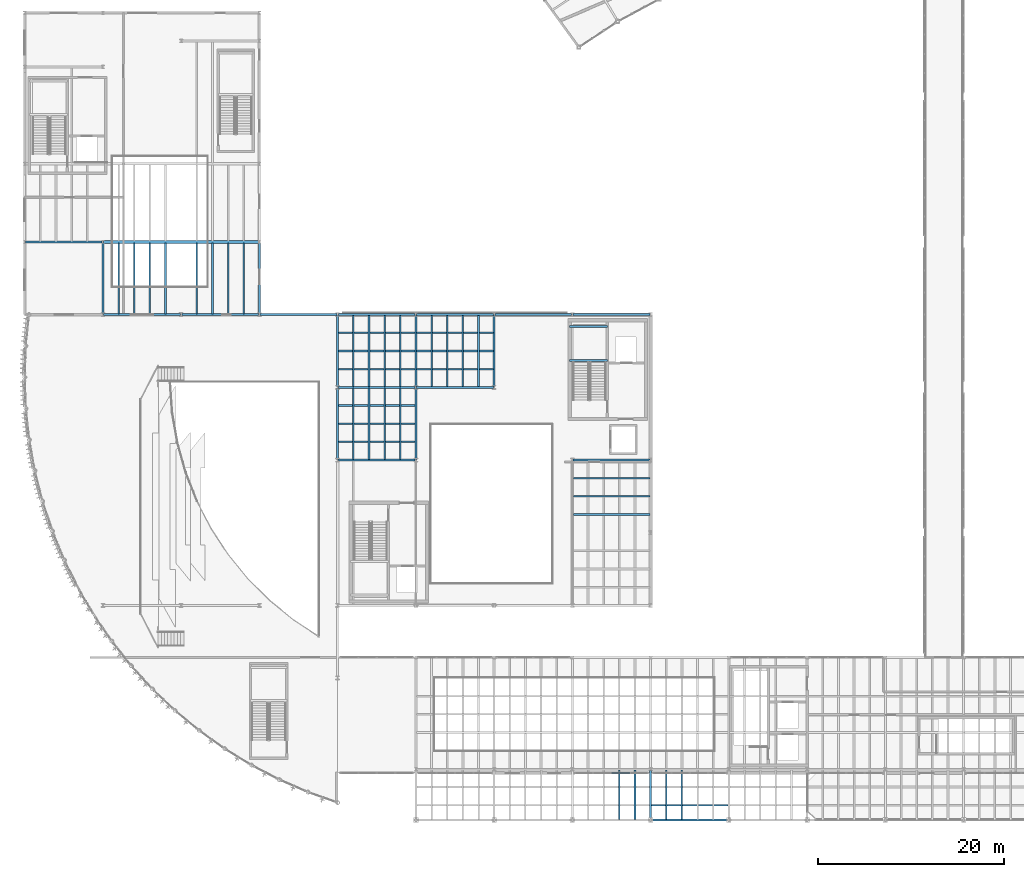
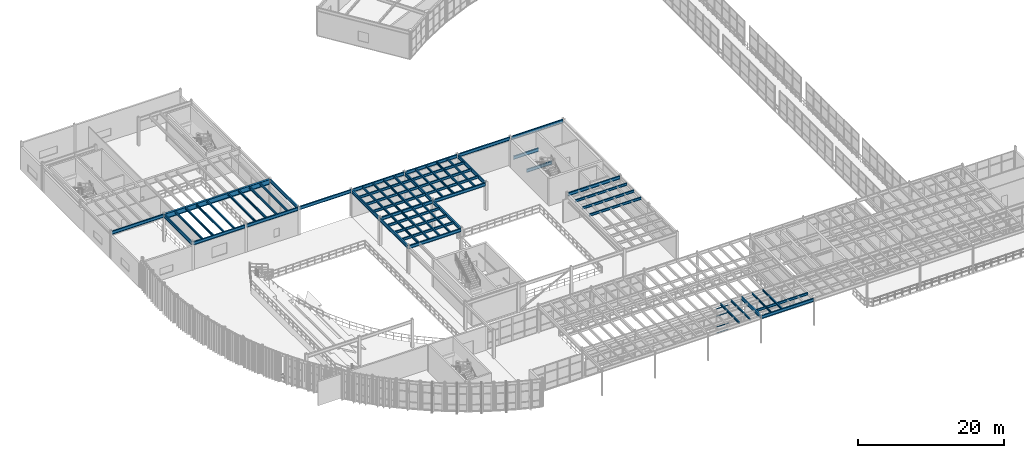
# One storey, part 36 of 105: 61 beams, 4 members, 1 element without a shape of its own.
"""IFC4 building model written with IfcOpenShell, lengths in metres."""

from ifc_helpers import new_model, si_unit, direction, frame, origin, origin_2d, place, context, subcontext, project, spatial, hollow_rectangle, i_section, extrude, material, layer, layer_set, material_profile, profile_set, type_object, element, aggregate, save


model = new_model("IFC4")

# Units and contexts
model_context = context("Model", 3, precision=1e-05, world=origin(), true_north=direction((0.0, 1.0)))
body_context = subcontext(model_context, "Body", "Model", "MODEL_VIEW")
ifc_project = project(units=[si_unit("LENGTHUNIT", "METRE"), si_unit("AREAUNIT", "SQUARE_METRE"), si_unit("VOLUMEUNIT", "CUBIC_METRE"), si_unit("PLANEANGLEUNIT", "RADIAN"), si_unit("MASSUNIT", "GRAM", prefix="KILO")], contexts=[model_context])

# Site, building, storey
site_placement = place(None, origin())
site = spatial("IfcSite", under=ifc_project, at=site_placement, CompositionType="ELEMENT")
building_placement = place(site_placement, origin())
building = spatial("IfcBuilding", under=site, at=building_placement, Name="Selat Folded Stagehouse", CompositionType="ELEMENT")
storey_placement = place(building_placement, frame((0.0, 0.0, 10.199951171875)))
storey = spatial("IfcBuildingStorey", under=building, at=storey_placement, Name="L02", CompositionType="ELEMENT", Elevation=10.199951171875)

# Beams
ifc_material_1 = material(Name="Steel S355", Category="steel")
ifc_material_profile_1 = material_profile(ifc_material_1, i_section(OverallWidth=0.210693359375, OverallDepth=0.53955078125, WebThickness=0.01171875, FlangeThickness=0.018798828125, FilletRadius=0.0126953125, at=origin_2d()), Name="UKB 533x210x109")
ifc_profile_set_1 = profile_set([ifc_material_profile_1], Name="Steel S355")
beam_type_1 = type_object("IfcBeamType", Name="BM-GIRD-533x210x109", PredefinedType="BEAM", material=ifc_profile_set_1)
for number, where, z_axis, x_axis, name in (
    (1, (8.39990234375, 54.679931640625, 4.310302734375), (0.0, 1.0, 0.0), (-1.0, 0.0, 0.0), "L02 primary y-girder 1038"),
    (2, (25.199951171875, 54.679931640625, 4.310302734375), (0.0, 1.0, 0.0), (-1.0, 0.0, 0.0), "L02 primary y-girder 1039"),
):
    element("IfcBeam", number, at=place(storey_placement, frame(where, z_axis=z_axis, x_axis=x_axis)), inside=storey, type_object=beam_type_1, Name=name, PredefinedType="BEAM", context=body_context, shape_type="SweptSolid", body=[
        extrude(i_section(OverallWidth=0.210693359375, OverallDepth=0.53955078125, WebThickness=0.01171875, FlangeThickness=0.018798828125, FilletRadius=0.0126953125, at=origin_2d()), origin(), (0.0, 0.0, 1.0), 7.64306640625),
    ])
beam_1_placement = place(storey_placement, frame((33.60009765625, 39.080078125, 4.330322265625), z_axis=(0.0, 1.0, 0.0), x_axis=(-1.0, 0.0, 0.0)))
element("IfcBeam", 3, at=beam_1_placement, inside=storey, type_object=beam_type_1, Name="L02 primary y-girder 1044", PredefinedType="BEAM", context=body_context, shape_type="SweptSolid", body=[
    extrude(i_section(OverallWidth=0.210693359375, OverallDepth=0.53955078125, WebThickness=0.01171875, FlangeThickness=0.018798828125, FilletRadius=0.0126953125, at=origin_2d()), origin(), (0.0, 0.0, 1.0), 7.639892578125),
])
beam_2_placement = place(storey_placement, frame((33.60009765625, 46.8798828125, 4.330322265625), z_axis=(0.0, 1.0, 0.0), x_axis=(-1.0, 0.0, 0.0)))
element("IfcBeam", 4, at=beam_2_placement, inside=storey, type_object=beam_type_1, Name="L02 primary y-girder 1045", PredefinedType="BEAM", context=body_context, shape_type="SweptSolid", body=[
    extrude(i_section(OverallWidth=0.210693359375, OverallDepth=0.53955078125, WebThickness=0.01171875, FlangeThickness=0.018798828125, FilletRadius=0.0126953125, at=origin_2d()), origin(), (0.0, 0.0, 1.0), 7.64013671875),
])
beam_3_placement = place(storey_placement, frame((42.0, 39.080078125, 4.330322265625), z_axis=(0.0, 1.0, 0.0), x_axis=(-1.0, 0.0, 0.0)))
element("IfcBeam", 5, at=beam_3_placement, inside=storey, type_object=beam_type_1, Name="L02 primary y-girder 1048", PredefinedType="BEAM", context=body_context, shape_type="SweptSolid", body=[
    extrude(i_section(OverallWidth=0.210693359375, OverallDepth=0.53955078125, WebThickness=0.01171875, FlangeThickness=0.018798828125, FilletRadius=0.0126953125, at=origin_2d()), origin(), (0.0, 0.0, 1.0), 7.639892578125),
])
for number, where, z_axis, x_axis, name in (
    (6, (42.0, 46.8798828125, 4.330322265625), (0.0, 1.0, 0.0), (-1.0, 0.0, 0.0), "L02 primary y-girder 1049"),
    (7, (50.39990234375, 46.8798828125, 4.330322265625), (0.0, 1.0, 0.0), (-1.0, 0.0, 0.0), "L02 primary y-girder 1052"),
):
    element("IfcBeam", number, at=place(storey_placement, frame(where, z_axis=z_axis, x_axis=x_axis)), inside=storey, type_object=beam_type_1, Name=name, PredefinedType="BEAM", context=body_context, shape_type="SweptSolid", body=[
        extrude(i_section(OverallWidth=0.210693359375, OverallDepth=0.53955078125, WebThickness=0.01171875, FlangeThickness=0.018798828125, FilletRadius=0.0126953125, at=origin_2d()), origin(), (0.0, 0.0, 1.0), 7.64013671875),
    ])
beam_4_placement = place(storey_placement, frame((67.199951171875, 0.418212890625, 4.305419921875), z_axis=(0.0, 1.0, 0.0), x_axis=(-1.0, 0.0, 0.0)))
element("IfcBeam", 8, at=beam_4_placement, inside=storey, type_object=beam_type_1, Name="L02 primary y-girder 1056", PredefinedType="BEAM", context=body_context, shape_type="SweptSolid", body=[
    extrude(i_section(OverallWidth=0.210693359375, OverallDepth=0.53955078125, WebThickness=0.01171875, FlangeThickness=0.018798828125, FilletRadius=0.0126953125, at=origin_2d()), origin(), (0.0, 0.0, 1.0), 5.3046875),
])
ifc_material_profile_2 = material_profile(ifc_material_1, i_section(OverallWidth=0.209228515625, OverallDepth=0.533203125, WebThickness=0.010009765625, FlangeThickness=0.015625, FilletRadius=0.0126953125, at=origin_2d()), Name="UKB 533x210x92")
ifc_profile_set_2 = profile_set([ifc_material_profile_2], Name="Steel S355")
beam_type_2 = type_object("IfcBeamType", Name="BM-GIRD-533x210x92", PredefinedType="BEAM", material=ifc_profile_set_2)
beam_5_placement = place(storey_placement, frame((67.268310546875, 0.35009765625, 4.308349609375), z_axis=(1.0, 0.0, 0.0), x_axis=(0.0, 1.0, 0.0)))
element("IfcBeam", 9, at=beam_5_placement, inside=storey, type_object=beam_type_2, Name="L02 primary x-girder 0985", PredefinedType="BEAM", context=body_context, shape_type="SweptSolid", body=[
    extrude(i_section(OverallWidth=0.209228515625, OverallDepth=0.533203125, WebThickness=0.010009765625, FlangeThickness=0.015625, FilletRadius=0.0126953125, at=origin_2d()), origin(), (0.0, 0.0, 1.0), 8.263427734375),
])
beam_6_placement = place(storey_placement, frame((33.679931640625, 39.0, 4.33349609375), z_axis=(1.0, 0.0, 0.0), x_axis=(0.0, 1.0, 0.0)))
element("IfcBeam", 10, at=beam_6_placement, inside=storey, type_object=beam_type_2, Name="L02 primary x-girder 1020", PredefinedType="BEAM", context=body_context, shape_type="SweptSolid", body=[
    extrude(i_section(OverallWidth=0.209228515625, OverallDepth=0.533203125, WebThickness=0.010009765625, FlangeThickness=0.015625, FilletRadius=0.0126953125, at=origin_2d()), origin(), (0.0, 0.0, 1.0), 8.239990234375),
])
beam_7_placement = place(storey_placement, frame((58.8798828125, 39.0, 4.33349609375), z_axis=(1.0, 0.0, 0.0), x_axis=(0.0, 1.0, 0.0)))
element("IfcBeam", 11, at=beam_7_placement, inside=storey, type_object=beam_type_2, Name="L02 primary x-girder 1021", PredefinedType="BEAM", context=body_context, shape_type="SweptSolid", body=[
    extrude(i_section(OverallWidth=0.209228515625, OverallDepth=0.533203125, WebThickness=0.010009765625, FlangeThickness=0.015625, FilletRadius=0.0126953125, at=origin_2d()), origin(), (0.0, 0.0, 1.0), 8.240234375),
])
for number, where, z_axis, x_axis, name in (
    (12, (33.679931640625, 46.800048828125, 4.33349609375), (1.0, 0.0, 0.0), (0.0, 1.0, 0.0), "L02 primary x-girder 1022"),
    (13, (42.080078125, 46.800048828125, 4.33349609375), (1.0, 0.0, 0.0), (0.0, 1.0, 0.0), "L02 primary x-girder 1023"),
    (14, (8.47998046875, 54.60009765625, 4.3134765625), (1.0, 0.0, 0.0), (0.0, 1.0, 0.0), "L02 primary x-girder 1024"),
):
    element("IfcBeam", number, at=place(storey_placement, frame(where, z_axis=z_axis, x_axis=x_axis)), inside=storey, type_object=beam_type_2, Name=name, PredefinedType="BEAM", context=body_context, shape_type="SweptSolid", body=[
        extrude(i_section(OverallWidth=0.209228515625, OverallDepth=0.533203125, WebThickness=0.010009765625, FlangeThickness=0.015625, FilletRadius=0.0126953125, at=origin_2d()), origin(), (0.0, 0.0, 1.0), 8.239990234375),
    ])
beam_8_placement = place(storey_placement, frame((16.8798828125, 54.60009765625, 4.3134765625), z_axis=(1.0, 0.0, 0.0), x_axis=(0.0, 1.0, 0.0)))
element("IfcBeam", 15, at=beam_8_placement, inside=storey, type_object=beam_type_2, Name="L02 primary x-girder 1025", PredefinedType="BEAM", context=body_context, shape_type="SweptSolid", body=[
    extrude(i_section(OverallWidth=0.209228515625, OverallDepth=0.533203125, WebThickness=0.010009765625, FlangeThickness=0.015625, FilletRadius=0.0126953125, at=origin_2d()), origin(), (0.0, 0.0, 1.0), 8.240234375),
])
for number, where, z_axis, x_axis, name in (
    (16, (25.280029296875, 54.60009765625, 4.33349609375), (1.0, 0.0, 0.0), (0.0, 1.0, 0.0), "L02 primary x-girder 1026"),
    (17, (33.679931640625, 54.60009765625, 4.33349609375), (1.0, 0.0, 0.0), (0.0, 1.0, 0.0), "L02 primary x-girder 1027"),
    (18, (42.080078125, 54.60009765625, 4.33349609375), (1.0, 0.0, 0.0), (0.0, 1.0, 0.0), "L02 primary x-girder 1028"),
    (19, (50.47998046875, 54.60009765625, 4.33349609375), (1.0, 0.0, 0.0), (0.0, 1.0, 0.0), "L02 primary x-girder 1029"),
):
    element("IfcBeam", number, at=place(storey_placement, frame(where, z_axis=z_axis, x_axis=x_axis)), inside=storey, type_object=beam_type_2, Name=name, PredefinedType="BEAM", context=body_context, shape_type="SweptSolid", body=[
        extrude(i_section(OverallWidth=0.209228515625, OverallDepth=0.533203125, WebThickness=0.010009765625, FlangeThickness=0.015625, FilletRadius=0.0126953125, at=origin_2d()), origin(), (0.0, 0.0, 1.0), 8.239990234375),
    ])
beam_9_placement = place(storey_placement, frame((58.8798828125, 54.60009765625, 4.33349609375), z_axis=(1.0, 0.0, 0.0), x_axis=(0.0, 1.0, 0.0)))
element("IfcBeam", 20, at=beam_9_placement, inside=storey, type_object=beam_type_2, Name="L02 primary x-girder 1030", PredefinedType="BEAM", context=body_context, shape_type="SweptSolid", body=[
    extrude(i_section(OverallWidth=0.209228515625, OverallDepth=0.533203125, WebThickness=0.010009765625, FlangeThickness=0.015625, FilletRadius=0.0126953125, at=origin_2d()), origin(), (0.0, 0.0, 1.0), 8.240234375),
])
beam_10_placement = place(storey_placement, frame((0.076904296875, 62.39990234375, 4.3134765625), z_axis=(1.0, 0.0, 0.0), x_axis=(0.0, 1.0, 0.0)))
element("IfcBeam", 21, at=beam_10_placement, inside=storey, type_object=beam_type_2, Name="L02 primary x-girder 1031", PredefinedType="BEAM", context=body_context, shape_type="SweptSolid", body=[
    extrude(i_section(OverallWidth=0.209228515625, OverallDepth=0.533203125, WebThickness=0.010009765625, FlangeThickness=0.015625, FilletRadius=0.0126953125, at=origin_2d()), origin(), (0.0, 0.0, 1.0), 8.24609375),
])
for number, where, z_axis, x_axis, name in (
    (22, (58.5, 49.699951171875, 1.933349609375), (1.0, 0.0, 0.0), (0.0, 1.0, 0.0), "L02 ST-02 landing support beam 1"),
    (23, (58.5, 53.31005859375, 1.933349609375), (1.0, 0.0, 0.0), (0.0, 1.0, 0.0), "L02 ST-02 landing support beam 2"),
):
    element("IfcBeam", number, at=place(storey_placement, frame(where, z_axis=z_axis, x_axis=x_axis)), inside=storey, type_object=beam_type_2, Name=name, PredefinedType="BEAM", context=body_context, shape_type="SweptSolid", body=[
        extrude(i_section(OverallWidth=0.209228515625, OverallDepth=0.533203125, WebThickness=0.010009765625, FlangeThickness=0.015625, FilletRadius=0.0126953125, at=origin_2d()), origin(), (0.0, 0.0, 1.0), 4.050048828125),
    ])
ifc_material_profile_3 = material_profile(ifc_material_1, i_section(OverallWidth=0.293701171875, OverallDepth=0.850830078125, WebThickness=0.01611328125, FlangeThickness=0.02685546875, FilletRadius=0.017822265625, at=origin_2d()), Name="UKB 838x292x226")
ifc_profile_set_3 = profile_set([ifc_material_profile_3], Name="Steel S355")
beam_type_3 = type_object("IfcBeamType", Name="BM-LONG-838x292x226", PredefinedType="BEAM", material=ifc_profile_set_3)
beam_11_placement = place(storey_placement, frame((8.47705078125, 62.39990234375, 4.154541015625), z_axis=(1.0, 0.0, 0.0), x_axis=(0.0, 1.0, 0.0)))
element("IfcBeam", 24, at=beam_11_placement, inside=storey, type_object=beam_type_3, Name="L02 primary x-girder 1032", PredefinedType="BEAM", context=body_context, shape_type="SweptSolid", body=[
    extrude(i_section(OverallWidth=0.293701171875, OverallDepth=0.850830078125, WebThickness=0.01611328125, FlangeThickness=0.02685546875, FilletRadius=0.017822265625, at=origin_2d()), origin(), (0.0, 0.0, 1.0), 16.64599609375),
])

# Curtain wall, members
ifc_material_2 = material(Name="Aluminium 6063-T6", Category="aluminium")
ifc_layer = layer(ifc_material_2, 0.2099609375)
ifc_layer_set = layer_set([ifc_layer], Name="Aluminium 6063-T6")
curtain_wall_type = type_object("IfcCurtainWallType", Name="CW-FYR-SOUTH", PredefinedType="NOTDEFINED", material=ifc_layer_set)
curtain_wall_placement = place(storey_placement, origin())
curtain_wall = element("IfcCurtainWall", 25, at=curtain_wall_placement, inside=storey, type_object=curtain_wall_type, Name="L02 curtain wall CW-FYR-L02-02", PredefinedType="NOTDEFINED")
ifc_material_profile_4 = material_profile(ifc_material_2, hollow_rectangle(XDim=0.06494140625, YDim=0.139892578125, WallThickness=0.00390625, at=origin_2d()), Name="ALU 140x65x4.0")
ifc_profile_set_4 = profile_set([ifc_material_profile_4], Name="Aluminium 6063-T6")
member_type = type_object("IfcMemberType", Name="CWM-TRN-140x65", PredefinedType="USERDEFINED", material=ifc_profile_set_4)
member_1_placement = place(storey_placement, frame((64.9423828125, 5.39990234375, 0.032470703125), z_axis=(-1.0, 0.0, 0.0), x_axis=(0.0, -1.0, 0.0)))
member_1 = element("IfcMember", 26, at=member_1_placement, type_object=member_type, Name="CW-04 transom 2.1", ObjectType="TRANSOM", PredefinedType="USERDEFINED", context=body_context, shape_type="SweptSolid", body=[
    extrude(hollow_rectangle(XDim=0.06494140625, YDim=0.139892578125, WallThickness=0.00390625, at=origin_2d()), origin(), (0.0, 0.0, 1.0), 1.909912109375),
])
member_2_placement = place(storey_placement, frame((64.9423828125, 5.39990234375, 1.050048828125), z_axis=(-1.0, 0.0, 0.0), x_axis=(0.0, -1.0, 0.0)))
member_2 = element("IfcMember", 27, at=member_2_placement, type_object=member_type, Name="CW-04 transom 2.2", ObjectType="TRANSOM", PredefinedType="USERDEFINED", context=body_context, shape_type="SweptSolid", body=[
    extrude(hollow_rectangle(XDim=0.06494140625, YDim=0.139892578125, WallThickness=0.00390625, at=origin_2d()), origin(), (0.0, 0.0, 1.0), 1.909912109375),
])
member_3_placement = place(storey_placement, frame((64.9423828125, 5.39990234375, 2.85009765625), z_axis=(-1.0, 0.0, 0.0), x_axis=(0.0, -1.0, 0.0)))
member_3 = element("IfcMember", 28, at=member_3_placement, type_object=member_type, Name="CW-04 transom 2.3", ObjectType="TRANSOM", PredefinedType="USERDEFINED", context=body_context, shape_type="SweptSolid", body=[
    extrude(hollow_rectangle(XDim=0.06494140625, YDim=0.139892578125, WallThickness=0.00390625, at=origin_2d()), origin(), (0.0, 0.0, 1.0), 1.909912109375),
])
member_4_placement = place(storey_placement, frame((64.9423828125, 5.39990234375, 4.087646484375), z_axis=(-1.0, 0.0, 0.0), x_axis=(0.0, -1.0, 0.0)))
member_4 = element("IfcMember", 29, at=member_4_placement, type_object=member_type, Name="CW-04 transom 2.4", ObjectType="TRANSOM", PredefinedType="USERDEFINED", context=body_context, shape_type="SweptSolid", body=[
    extrude(hollow_rectangle(XDim=0.06494140625, YDim=0.139892578125, WallThickness=0.00390625, at=origin_2d()), origin(), (0.0, 0.0, 1.0), 1.909912109375),
])
aggregate(curtain_wall, [member_1, member_2, member_3, member_4])

# Beams
ifc_material_profile_5 = material_profile(ifc_material_1, i_section(OverallWidth=0.1650390625, OverallDepth=0.303466796875, WebThickness=0.006103515625, FlangeThickness=0.01025390625, FilletRadius=0.0087890625, at=origin_2d()), Name="UKB 305x165x40")
ifc_profile_set_5 = profile_set([ifc_material_profile_5], Name="Steel S355")
beam_type_4 = type_object("IfcBeamType", Name="JST-305x165x40", PredefinedType="JOIST", material=ifc_profile_set_5)
for number, where, z_axis, x_axis, name in (
    (30, (63.840087890625, 0.42333984375, 4.42333984375), (0.0, 1.0, 0.0), (-1.0, 0.0, 0.0), "L02 secondary floor joist 1138"),
    (31, (65.52001953125, 0.42333984375, 4.42333984375), (0.0, 1.0, 0.0), (-1.0, 0.0, 0.0), "L02 secondary floor joist 1141"),
    (32, (68.8798828125, 0.42333984375, 4.42333984375), (0.0, 1.0, 0.0), (-1.0, 0.0, 0.0), "L02 secondary floor joist 1144"),
    (33, (70.56005859375, 0.42333984375, 4.42333984375), (0.0, 1.0, 0.0), (-1.0, 0.0, 0.0), "L02 secondary floor joist 1146"),
):
    element("IfcBeam", number, at=place(storey_placement, frame(where, z_axis=z_axis, x_axis=x_axis)), inside=storey, type_object=beam_type_4, Name=name, PredefinedType="JOIST", context=body_context, shape_type="SweptSolid", body=[
        extrude(i_section(OverallWidth=0.1650390625, OverallDepth=0.303466796875, WebThickness=0.006103515625, FlangeThickness=0.01025390625, FilletRadius=0.0087890625, at=origin_2d()), origin(), (0.0, 0.0, 1.0), 5.303466796875),
    ])
ifc_material_profile_6 = material_profile(ifc_material_1, i_section(OverallWidth=0.17138671875, OverallDepth=0.35498046875, WebThickness=0.00732421875, FlangeThickness=0.011474609375, FilletRadius=0.01025390625, at=origin_2d()), Name="UKB 356x171x51")
ifc_profile_set_6 = profile_set([ifc_material_profile_6], Name="Steel S355")
beam_type_5 = type_object("IfcBeamType", Name="JST-356x171x51", PredefinedType="JOIST", material=ifc_profile_set_6)
for number, where, z_axis, x_axis, name in (
    (34, (10.080078125, 54.67333984375, 4.402587890625), (0.0, 1.0, 0.0), (-1.0, 0.0, 0.0), "L02 secondary floor joist 1085"),
    (35, (11.760009765625, 54.67333984375, 4.402587890625), (0.0, 1.0, 0.0), (-1.0, 0.0, 0.0), "L02 secondary floor joist 1087"),
    (36, (13.43994140625, 54.67333984375, 4.402587890625), (0.0, 1.0, 0.0), (-1.0, 0.0, 0.0), "L02 secondary floor joist 1089"),
    (37, (15.1201171875, 54.67333984375, 4.402587890625), (0.0, 1.0, 0.0), (-1.0, 0.0, 0.0), "L02 secondary floor joist 1091"),
    (38, (18.47998046875, 54.67333984375, 4.402587890625), (0.0, 1.0, 0.0), (-1.0, 0.0, 0.0), "L02 secondary floor joist 1093"),
    (39, (20.159912109375, 54.67333984375, 4.402587890625), (0.0, 1.0, 0.0), (-1.0, 0.0, 0.0), "L02 secondary floor joist 1096"),
    (40, (21.840087890625, 54.67333984375, 4.402587890625), (0.0, 1.0, 0.0), (-1.0, 0.0, 0.0), "L02 secondary floor joist 1099"),
    (41, (23.52001953125, 54.67333984375, 4.402587890625), (0.0, 1.0, 0.0), (-1.0, 0.0, 0.0), "L02 secondary floor joist 1101"),
):
    element("IfcBeam", number, at=place(storey_placement, frame(where, z_axis=z_axis, x_axis=x_axis)), inside=storey, type_object=beam_type_5, Name=name, PredefinedType="JOIST", context=body_context, shape_type="SweptSolid", body=[
        extrude(i_section(OverallWidth=0.17138671875, OverallDepth=0.35498046875, WebThickness=0.00732421875, FlangeThickness=0.011474609375, FilletRadius=0.01025390625, at=origin_2d()), origin(), (0.0, 0.0, 1.0), 7.623779296875),
    ])
beam_12_placement = place(storey_placement, frame((35.280029296875, 39.0732421875, 4.422607421875), z_axis=(0.0, 1.0, 0.0), x_axis=(-1.0, 0.0, 0.0)))
element("IfcBeam", 42, at=beam_12_placement, inside=storey, type_object=beam_type_5, Name="L02 secondary floor joist 1104", PredefinedType="JOIST", context=body_context, shape_type="SweptSolid", body=[
    extrude(i_section(OverallWidth=0.17138671875, OverallDepth=0.35498046875, WebThickness=0.00732421875, FlangeThickness=0.011474609375, FilletRadius=0.01025390625, at=origin_2d()), origin(), (0.0, 0.0, 1.0), 7.653564453125),
])
beam_13_placement = place(storey_placement, frame((35.280029296875, 46.873291015625, 4.422607421875), z_axis=(0.0, 1.0, 0.0), x_axis=(-1.0, 0.0, 0.0)))
element("IfcBeam", 43, at=beam_13_placement, inside=storey, type_object=beam_type_5, Name="L02 secondary floor joist 1105", PredefinedType="JOIST", context=body_context, shape_type="SweptSolid", body=[
    extrude(i_section(OverallWidth=0.17138671875, OverallDepth=0.35498046875, WebThickness=0.00732421875, FlangeThickness=0.011474609375, FilletRadius=0.01025390625, at=origin_2d()), origin(), (0.0, 0.0, 1.0), 7.6533203125),
])
beam_14_placement = place(storey_placement, frame((36.9599609375, 39.0732421875, 4.422607421875), z_axis=(0.0, 1.0, 0.0), x_axis=(-1.0, 0.0, 0.0)))
element("IfcBeam", 44, at=beam_14_placement, inside=storey, type_object=beam_type_5, Name="L02 secondary floor joist 1106", PredefinedType="JOIST", context=body_context, shape_type="SweptSolid", body=[
    extrude(i_section(OverallWidth=0.17138671875, OverallDepth=0.35498046875, WebThickness=0.00732421875, FlangeThickness=0.011474609375, FilletRadius=0.01025390625, at=origin_2d()), origin(), (0.0, 0.0, 1.0), 7.653564453125),
])
beam_15_placement = place(storey_placement, frame((36.9599609375, 46.873291015625, 4.422607421875), z_axis=(0.0, 1.0, 0.0), x_axis=(-1.0, 0.0, 0.0)))
element("IfcBeam", 45, at=beam_15_placement, inside=storey, type_object=beam_type_5, Name="L02 secondary floor joist 1107", PredefinedType="JOIST", context=body_context, shape_type="SweptSolid", body=[
    extrude(i_section(OverallWidth=0.17138671875, OverallDepth=0.35498046875, WebThickness=0.00732421875, FlangeThickness=0.011474609375, FilletRadius=0.01025390625, at=origin_2d()), origin(), (0.0, 0.0, 1.0), 7.6533203125),
])
beam_16_placement = place(storey_placement, frame((38.639892578125, 39.0732421875, 4.422607421875), z_axis=(0.0, 1.0, 0.0), x_axis=(-1.0, 0.0, 0.0)))
element("IfcBeam", 46, at=beam_16_placement, inside=storey, type_object=beam_type_5, Name="L02 secondary floor joist 1108", PredefinedType="JOIST", context=body_context, shape_type="SweptSolid", body=[
    extrude(i_section(OverallWidth=0.17138671875, OverallDepth=0.35498046875, WebThickness=0.00732421875, FlangeThickness=0.011474609375, FilletRadius=0.01025390625, at=origin_2d()), origin(), (0.0, 0.0, 1.0), 7.653564453125),
])
beam_17_placement = place(storey_placement, frame((38.639892578125, 46.873291015625, 4.422607421875), z_axis=(0.0, 1.0, 0.0), x_axis=(-1.0, 0.0, 0.0)))
element("IfcBeam", 47, at=beam_17_placement, inside=storey, type_object=beam_type_5, Name="L02 secondary floor joist 1109", PredefinedType="JOIST", context=body_context, shape_type="SweptSolid", body=[
    extrude(i_section(OverallWidth=0.17138671875, OverallDepth=0.35498046875, WebThickness=0.00732421875, FlangeThickness=0.011474609375, FilletRadius=0.01025390625, at=origin_2d()), origin(), (0.0, 0.0, 1.0), 7.6533203125),
])
beam_18_placement = place(storey_placement, frame((40.320068359375, 39.0732421875, 4.422607421875), z_axis=(0.0, 1.0, 0.0), x_axis=(-1.0, 0.0, 0.0)))
element("IfcBeam", 48, at=beam_18_placement, inside=storey, type_object=beam_type_5, Name="L02 secondary floor joist 1110", PredefinedType="JOIST", context=body_context, shape_type="SweptSolid", body=[
    extrude(i_section(OverallWidth=0.17138671875, OverallDepth=0.35498046875, WebThickness=0.00732421875, FlangeThickness=0.011474609375, FilletRadius=0.01025390625, at=origin_2d()), origin(), (0.0, 0.0, 1.0), 7.653564453125),
])
for number, where, z_axis, x_axis, name in (
    (49, (40.320068359375, 46.873291015625, 4.422607421875), (0.0, 1.0, 0.0), (-1.0, 0.0, 0.0), "L02 secondary floor joist 1111"),
    (50, (43.679931640625, 46.873291015625, 4.422607421875), (0.0, 1.0, 0.0), (-1.0, 0.0, 0.0), "L02 secondary floor joist 1114"),
    (51, (45.360107421875, 46.873291015625, 4.422607421875), (0.0, 1.0, 0.0), (-1.0, 0.0, 0.0), "L02 secondary floor joist 1117"),
    (52, (47.0400390625, 46.873291015625, 4.422607421875), (0.0, 1.0, 0.0), (-1.0, 0.0, 0.0), "L02 secondary floor joist 1120"),
    (53, (48.719970703125, 46.873291015625, 4.422607421875), (0.0, 1.0, 0.0), (-1.0, 0.0, 0.0), "L02 secondary floor joist 1123"),
):
    element("IfcBeam", number, at=place(storey_placement, frame(where, z_axis=z_axis, x_axis=x_axis)), inside=storey, type_object=beam_type_5, Name=name, PredefinedType="JOIST", context=body_context, shape_type="SweptSolid", body=[
        extrude(i_section(OverallWidth=0.17138671875, OverallDepth=0.35498046875, WebThickness=0.00732421875, FlangeThickness=0.011474609375, FilletRadius=0.01025390625, at=origin_2d()), origin(), (0.0, 0.0, 1.0), 7.6533203125),
    ])
ifc_material_profile_7 = material_profile(ifc_material_1, i_section(OverallWidth=0.177978515625, OverallDepth=0.406494140625, WebThickness=0.0078125, FlangeThickness=0.0126953125, FilletRadius=0.01025390625, at=origin_2d()), Name="UKB 406x178x60")
ifc_profile_set_7 = profile_set([ifc_material_profile_7], Name="Steel S355")
beam_type_6 = type_object("IfcBeamType", Name="JST-406x178x60", PredefinedType="JOIST", material=ifc_profile_set_7)
beam_19_placement = place(storey_placement, frame((67.273681640625, 1.949951171875, 4.371826171875), z_axis=(1.0, 0.0, 0.0), x_axis=(0.0, 1.0, 0.0)))
element("IfcBeam", 54, at=beam_19_placement, inside=storey, type_object=beam_type_6, Name="L02 secondary x-joist 1202", PredefinedType="JOIST", context=body_context, shape_type="SweptSolid", body=[
    extrude(i_section(OverallWidth=0.177978515625, OverallDepth=0.406494140625, WebThickness=0.0078125, FlangeThickness=0.0126953125, FilletRadius=0.01025390625, at=origin_2d()), origin(), (0.0, 0.0, 1.0), 8.25244140625),
])
for number, where, z_axis, x_axis, name in (
    (55, (58.893798828125, 33.14990234375, 4.396728515625), (1.0, 0.0, 0.0), (0.0, 1.0, 0.0), "L02 secondary x-joist 1253"),
    (56, (58.893798828125, 35.10009765625, 4.396728515625), (1.0, 0.0, 0.0), (0.0, 1.0, 0.0), "L02 secondary x-joist 1257"),
    (57, (58.893798828125, 37.050048828125, 4.396728515625), (1.0, 0.0, 0.0), (0.0, 1.0, 0.0), "L02 secondary x-joist 1258"),
):
    element("IfcBeam", number, at=place(storey_placement, frame(where, z_axis=z_axis, x_axis=x_axis)), inside=storey, type_object=beam_type_6, Name=name, PredefinedType="JOIST", context=body_context, shape_type="SweptSolid", body=[
        extrude(i_section(OverallWidth=0.177978515625, OverallDepth=0.406494140625, WebThickness=0.0078125, FlangeThickness=0.0126953125, FilletRadius=0.01025390625, at=origin_2d()), origin(), (0.0, 0.0, 1.0), 8.232421875),
    ])
for number, where, z_axis, x_axis, name in (
    (58, (33.673828125, 40.949951171875, 4.396728515625), (1.0, 0.0, 0.0), (0.0, 1.0, 0.0), "L02 secondary x-joist 1259"),
    (59, (33.673828125, 42.89990234375, 4.396728515625), (1.0, 0.0, 0.0), (0.0, 1.0, 0.0), "L02 secondary x-joist 1260"),
    (60, (33.673828125, 44.85009765625, 4.396728515625), (1.0, 0.0, 0.0), (0.0, 1.0, 0.0), "L02 secondary x-joist 1261"),
    (61, (33.673828125, 48.75, 4.396728515625), (1.0, 0.0, 0.0), (0.0, 1.0, 0.0), "L02 secondary x-joist 1262"),
    (62, (42.07373046875, 48.75, 4.396728515625), (1.0, 0.0, 0.0), (0.0, 1.0, 0.0), "L02 secondary x-joist 1263"),
    (63, (33.673828125, 50.699951171875, 4.396728515625), (1.0, 0.0, 0.0), (0.0, 1.0, 0.0), "L02 secondary x-joist 1264"),
    (64, (42.07373046875, 50.699951171875, 4.396728515625), (1.0, 0.0, 0.0), (0.0, 1.0, 0.0), "L02 secondary x-joist 1265"),
    (65, (33.673828125, 52.64990234375, 4.396728515625), (1.0, 0.0, 0.0), (0.0, 1.0, 0.0), "L02 secondary x-joist 1266"),
    (66, (42.07373046875, 52.64990234375, 4.396728515625), (1.0, 0.0, 0.0), (0.0, 1.0, 0.0), "L02 secondary x-joist 1267"),
):
    element("IfcBeam", number, at=place(storey_placement, frame(where, z_axis=z_axis, x_axis=x_axis)), inside=storey, type_object=beam_type_6, Name=name, PredefinedType="JOIST", context=body_context, shape_type="SweptSolid", body=[
        extrude(i_section(OverallWidth=0.177978515625, OverallDepth=0.406494140625, WebThickness=0.0078125, FlangeThickness=0.0126953125, FilletRadius=0.01025390625, at=origin_2d()), origin(), (0.0, 0.0, 1.0), 8.25244140625),
    ])

save(model, "model.ifc")
